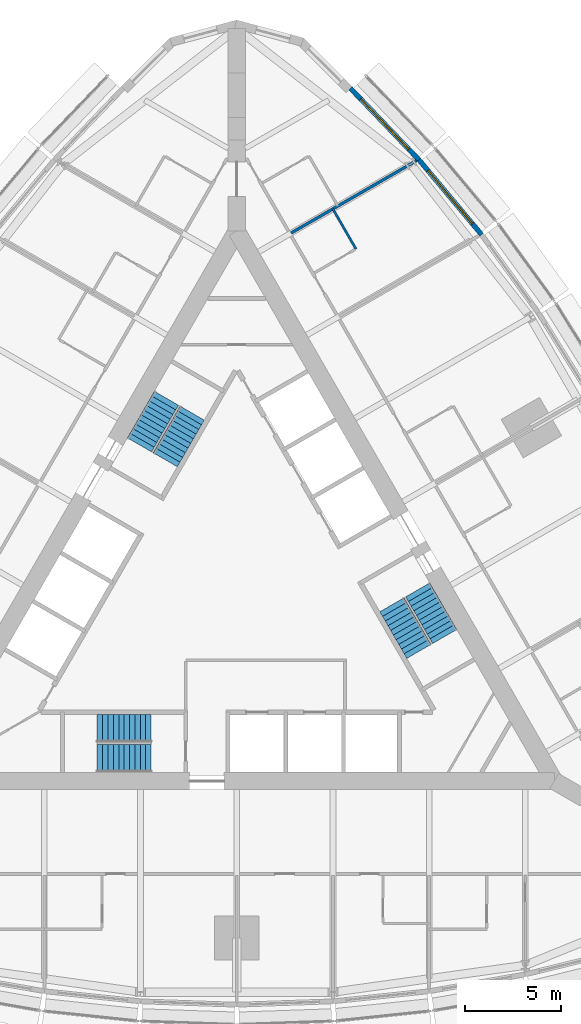
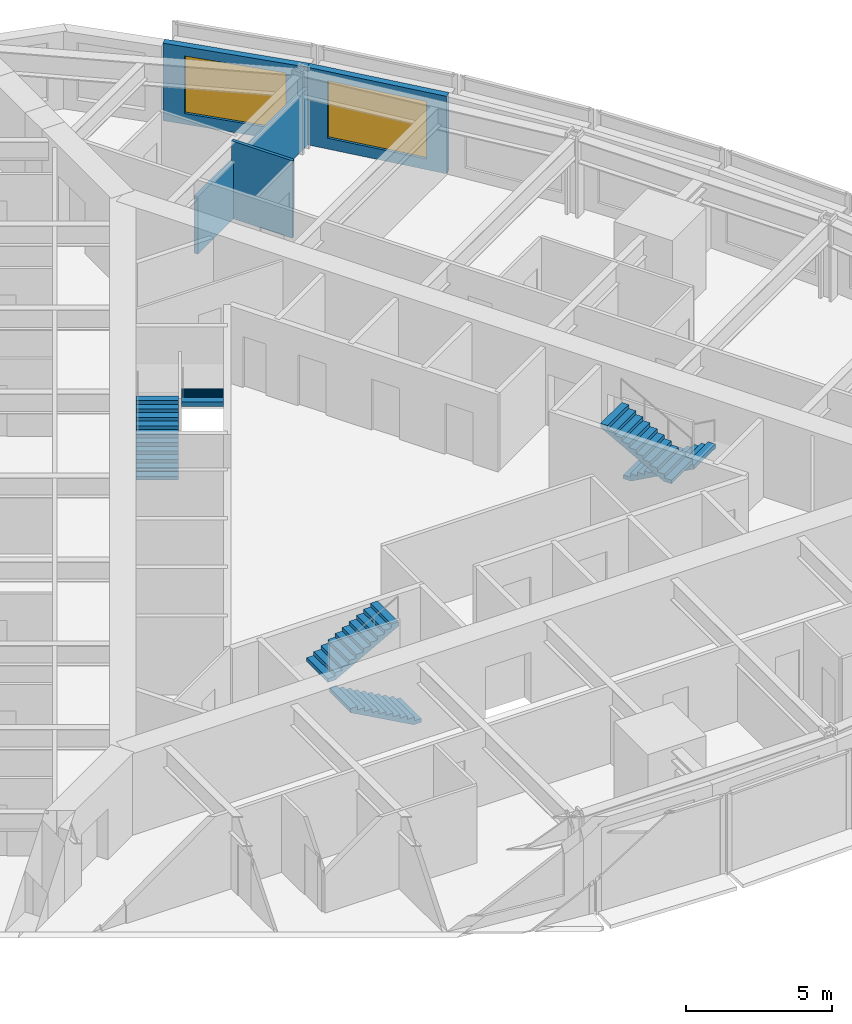
# One storey, part 13 of 14: 6 stair flights, 4 walls, 2 windows, 2 openings, 3 elements without a shape of their own.
"""IFC4 building model written with IfcOpenShell, lengths in metres."""

from ifc_helpers import new_model, si_unit, direction, frame, frame_2d, origin, place, context, subcontext, project, spatial, polyline, rectangle, outline, extrude, material, layer, layer_set, type_object, element, fill, aggregate, save


model = new_model("IFC4")

# Units and contexts
model_context = context("Model", 3, precision=1e-05, world=origin(), true_north=direction((0.0, 1.0)))
body_context = subcontext(model_context, "Body", "Model", "MODEL_VIEW")
ifc_project = project(units=[si_unit("LENGTHUNIT", "METRE"), si_unit("AREAUNIT", "SQUARE_METRE"), si_unit("VOLUMEUNIT", "CUBIC_METRE"), si_unit("PLANEANGLEUNIT", "RADIAN"), si_unit("MASSUNIT", "GRAM", prefix="KILO")], contexts=[model_context])

# Site, building, storey
site_placement = place(None, origin())
site = spatial("IfcSite", under=ifc_project, at=site_placement, CompositionType="ELEMENT")
building_placement = place(site_placement, origin())
building = spatial("IfcBuilding", under=site, at=building_placement, Name="Trikona Tower", CompositionType="ELEMENT")
storey_placement = place(building_placement, frame((0.0, 0.0, 158.89990234375)))
storey = spatial("IfcBuildingStorey", under=building, at=storey_placement, Name="L42", CompositionType="ELEMENT", Elevation=158.89990234375)

# Wall
ifc_material_1 = material(Name="Metal stud and cement board", Category="gypsum")
ifc_layer_1 = layer(ifc_material_1, 0.1201171875)
ifc_layer_set_1 = layer_set([ifc_layer_1], Name="Bathroom wall 120")
wall_type_1 = type_object("IfcWallType", Name="Bathroom wall 120", PredefinedType="PLUMBINGWALL", material=ifc_layer_set_1)
wall_1_placement = place(storey_placement, frame((6.193603515625, 18.125, 0.0), z_axis=(0.0, 0.0, 1.0), x_axis=(-0.500033551112, 0.866006032174, 0.0)))
element("IfcWall", 1, at=wall_1_placement, inside=storey, type_object=wall_type_1, Name="Bathroom wall 4208", PredefinedType="PLUMBINGWALL", context=body_context, shape_type="SweptSolid", body=[
    extrude(rectangle(XDim=2.400146484375, YDim=0.1201171875, at=frame_2d((1.2001953125, 0.0))), origin(), (0.0, 0.0, 1.0), 3.235107421875),
])

# Wall, opening, window
ifc_material_2 = material(Name="Insulated precast concrete spandrel panel", Category="concrete")
ifc_layer_2 = layer(ifc_material_2, 0.25)
ifc_layer_set_2 = layer_set([ifc_layer_2], Name="Inner skin wall 250")
wall_type_2 = type_object("IfcWallType", Name="Inner skin wall 250", PredefinedType="STANDARD", material=ifc_layer_set_2)
wall_2_placement = place(storey_placement, frame((12.722900390625, 18.86767578125, 0.0), z_axis=(0.0, 0.0, 1.0), x_axis=(-0.641810386606, 0.766863369607, 0.0)))
wall_2 = element("IfcWall", 2, at=wall_2_placement, inside=storey, type_object=wall_type_2, Name="External wall L42-18", PredefinedType="STANDARD", context=body_context, shape_type="SweptSolid", body=[
    extrude(rectangle(XDim=5.075927734375, YDim=0.25, at=frame_2d((2.5380859375, 0.0))), origin(), (0.0, 0.0, 1.0), 3.235107421875),
])
opening_1_placement = place(wall_2_placement, frame((0.738037109375, 0.0, 0.449951171875)))
opening_1 = element("IfcOpeningElement", 3, at=opening_1_placement, cuts=wall_2, Name="Opening W3624", PredefinedType="OPENING", context=body_context, shape_type="SweptSolid", body=[
    extrude(rectangle(XDim=3.60009765625, YDim=2.39990234375, at=frame_2d((1.800048828125, 1.199951171875))), frame((0.0, 0.135009765625, 0.0), z_axis=(0.0, -1.0, 0.0), x_axis=(1.0, 0.0, 0.0)), (0.0, 0.0, 1.0), 0.27001953125),
])
ifc_material_3 = material(Name="Aluminium-framed double glazing", Category="aluminium")
window_type = type_object("IfcWindowType", Name="Window 3600x2400", PartitioningType="SINGLE_PANEL", PredefinedType="WINDOW", material=ifc_material_3)
window_1_placement = place(opening_1_placement, origin())
window_1 = element("IfcWindow", 4, at=window_1_placement, inside=storey, type_object=window_type, Name="Window 4208", OverallHeight=2.39990234375, OverallWidth=3.60009765625, PartitioningType="SINGLE_PANEL", PredefinedType="WINDOW", context=body_context, shape_type="SweptSolid", body=[
    extrude(rectangle(XDim=3.60009765625, YDim=2.39990234375, at=frame_2d((1.800048828125, 1.199951171875))), frame((0.0, 0.030029296875, 0.0), z_axis=(0.0, -1.0, 0.0), x_axis=(1.0, 0.0, 0.0)), (0.0, 0.0, 1.0), 0.06005859375),
])
fill(opening_1, window_1)

wall_3_placement = place(storey_placement, frame((9.470703125, 22.75390625, 0.0), z_axis=(0.0, 0.0, 1.0), x_axis=(-0.691719937936, 0.722165858693, 0.0)))
wall_3 = element("IfcWall", 5, at=wall_3_placement, inside=storey, type_object=wall_type_2, Name="External wall L42-19", PredefinedType="STANDARD", context=body_context, shape_type="SweptSolid", body=[
    extrude(rectangle(XDim=5.148193359375, YDim=0.25, at=frame_2d((2.57421875, 0.0))), origin(), (0.0, 0.0, 1.0), 3.235107421875),
])
opening_2_placement = place(wall_3_placement, frame((0.77392578125, 0.0, 0.449951171875)))
opening_2 = element("IfcOpeningElement", 6, at=opening_2_placement, cuts=wall_3, Name="Opening W3624", PredefinedType="OPENING", context=body_context, shape_type="SweptSolid", body=[
    extrude(rectangle(XDim=3.60009765625, YDim=2.39990234375, at=frame_2d((1.800048828125, 1.199951171875))), frame((0.0, 0.135009765625, 0.0), z_axis=(0.0, -1.0, 0.0), x_axis=(1.0, 0.0, 0.0)), (0.0, 0.0, 1.0), 0.27001953125),
])
window_2_placement = place(opening_2_placement, origin())
window_2 = element("IfcWindow", 7, at=window_2_placement, inside=storey, type_object=window_type, Name="Window 4209", OverallHeight=2.39990234375, OverallWidth=3.60009765625, PartitioningType="SINGLE_PANEL", PredefinedType="WINDOW", context=body_context, shape_type="SweptSolid", body=[
    extrude(rectangle(XDim=3.60009765625, YDim=2.39990234375, at=frame_2d((1.800048828125, 1.199951171875))), frame((0.0, 0.030029296875, 0.0), z_axis=(0.0, -1.0, 0.0), x_axis=(1.0, 0.0, 0.0)), (0.0, 0.0, 1.0), 0.06005859375),
])
fill(opening_2, window_2)

# Wall
ifc_material_4 = material(Name="Metal stud and gypsum board, 1-hour acoustic", Category="gypsum")
ifc_layer_3 = layer(ifc_material_4, 0.14990234375)
ifc_layer_set_3 = layer_set([ifc_layer_3], Name="Party wall 150")
wall_type_3 = type_object("IfcWallType", Name="Party wall 150", PredefinedType="PARTITIONING", material=ifc_layer_set_3)
wall_4_placement = place(storey_placement, frame((2.82861328125, 18.95361328125, 0.0), z_axis=(0.0, 0.0, 1.0), x_axis=(0.866015739374, 0.500016738876, 0.0)))
element("IfcWall", 8, at=wall_4_placement, inside=storey, type_object=wall_type_3, Name="Partition L42 F2 u15", PredefinedType="PARTITIONING", context=body_context, shape_type="SweptSolid", body=[
    extrude(rectangle(XDim=7.516357421875, YDim=0.14990234375, at=frame_2d((3.75830078125, 0.0))), origin(), (0.0, 0.0, 1.0), 2.389404296875),
])

# Stair, stair flights
ifc_material_5 = material(Name="Concrete f'c 5000 psi", Category="concrete")
stair_type = type_object("IfcStairType", Name="Core stair", PredefinedType="HALF_TURN_STAIR", material=ifc_material_5)
stair_1_placement = place(storey_placement, origin())
stair_1 = element("IfcStair", 9, at=stair_1_placement, inside=storey, type_object=stair_type, Name="Stair A L42", PredefinedType="HALF_TURN_STAIR")
ifc_material_6 = material(Name="Concrete f'c 5000 psi", Category="concrete")
stair_flight_type = type_object("IfcStairFlightType", Name="Core stair flight 1450", PredefinedType="STRAIGHT", material=ifc_material_6)
stair_flight_1_placement = place(storey_placement, frame((-4.449951171875, -8.351318359375, 0.0), z_axis=(0.0, 0.0, 1.0), x_axis=(-1.0, 0.0, 0.0)))
stair_flight_1 = element("IfcStairFlight", 10, at=stair_flight_1_placement, type_object=stair_flight_type, Name="ST-A flight 1", NumberOfRisers=11, NumberOfTreads=10, PredefinedType="STRAIGHT", RiserHeight=0.154545, TreadLength=0.28, context=body_context, shape_type="SweptSolid", body=[
    extrude(outline(polyline([(0.0, 0.0), (0.0, 0.154541015625), (0.280029296875, 0.154541015625), (0.280029296875, 0.30908203125), (0.56005859375, 0.30908203125), (0.56005859375, 0.463623046875), (0.840087890625, 0.463623046875), (0.840087890625, 0.6181640625), (1.1201171875, 0.6181640625), (1.1201171875, 0.772705078125), (1.39990234375, 0.772705078125), (1.39990234375, 0.92724609375), (1.679931640625, 0.92724609375), (1.679931640625, 1.081787109375), (1.9599609375, 1.081787109375), (1.9599609375, 1.236328125), (2.239990234375, 1.236328125), (2.239990234375, 1.390869140625), (2.52001953125, 1.390869140625), (2.52001953125, 1.54541015625), (2.800048828125, 1.54541015625), (2.800048828125, 1.699951171875), (2.800048828125, 1.374267578125), (0.310302734375, 0.0), (0.0, 0.0)])), frame((0.0, 0.72509765625, 0.0), z_axis=(0.0, -1.0, 0.0), x_axis=(1.0, 0.0, 0.0)), (0.0, 0.0, 1.0), 1.449951171875),
])
stair_flight_2_placement = place(storey_placement, frame((-7.25, -6.80126953125, 1.7001953125), z_axis=(0.0, 0.0, 1.0), x_axis=(1.0, 0.0, 0.0)))
stair_flight_2 = element("IfcStairFlight", 11, at=stair_flight_2_placement, type_object=stair_flight_type, Name="ST-A flight 2", NumberOfRisers=11, NumberOfTreads=10, PredefinedType="STRAIGHT", RiserHeight=0.154545, TreadLength=0.28, context=body_context, shape_type="SweptSolid", body=[
    extrude(outline(polyline([(0.0, 0.0), (0.0, 0.154541015625), (0.280029296875, 0.154541015625), (0.280029296875, 0.30908203125), (0.56005859375, 0.30908203125), (0.56005859375, 0.463623046875), (0.840087890625, 0.463623046875), (0.840087890625, 0.6181640625), (1.1201171875, 0.6181640625), (1.1201171875, 0.772705078125), (1.39990234375, 0.772705078125), (1.39990234375, 0.92724609375), (1.679931640625, 0.92724609375), (1.679931640625, 1.081787109375), (1.9599609375, 1.081787109375), (1.9599609375, 1.236328125), (2.239990234375, 1.236328125), (2.239990234375, 1.390869140625), (2.52001953125, 1.390869140625), (2.52001953125, 1.54541015625), (2.800048828125, 1.54541015625), (2.800048828125, 1.699951171875), (2.800048828125, 1.374267578125), (0.310302734375, 0.0), (0.0, 0.0)])), frame((0.0, 0.72509765625, 0.0), z_axis=(0.0, -1.0, 0.0), x_axis=(1.0, 0.0, 0.0)), (0.0, 0.0, 1.0), 1.449951171875),
])
aggregate(stair_1, [stair_flight_1, stair_flight_2])

stair_2_placement = place(storey_placement, origin())
stair_2 = element("IfcStair", 12, at=stair_2_placement, inside=storey, type_object=stair_type, Name="Stair B L42", PredefinedType="HALF_TURN_STAIR")
stair_flight_3_placement = place(storey_placement, frame((9.407470703125, 0.408447265625, 0.0), z_axis=(0.0, 0.0, 1.0), x_axis=(0.5, -0.866025403784, 0.0)))
stair_flight_3 = element("IfcStairFlight", 13, at=stair_flight_3_placement, type_object=stair_flight_type, Name="ST-B flight 1", NumberOfRisers=11, NumberOfTreads=10, PredefinedType="STRAIGHT", RiserHeight=0.154545, TreadLength=0.28, context=body_context, shape_type="SweptSolid", body=[
    extrude(outline(polyline([(0.0, 0.0), (0.0, 0.154541015625), (0.280029296875, 0.154541015625), (0.280029296875, 0.30908203125), (0.56005859375, 0.30908203125), (0.56005859375, 0.463623046875), (0.840087890625, 0.463623046875), (0.840087890625, 0.6181640625), (1.1201171875, 0.6181640625), (1.1201171875, 0.772705078125), (1.39990234375, 0.772705078125), (1.39990234375, 0.92724609375), (1.679931640625, 0.92724609375), (1.679931640625, 1.081787109375), (1.9599609375, 1.081787109375), (1.9599609375, 1.236328125), (2.239990234375, 1.236328125), (2.239990234375, 1.390869140625), (2.52001953125, 1.390869140625), (2.52001953125, 1.54541015625), (2.800048828125, 1.54541015625), (2.800048828125, 1.699951171875), (2.800048828125, 1.374267578125), (0.310302734375, 0.0), (0.0, 0.0)])), frame((0.0, 0.72509765625, 0.0), z_axis=(0.0, -1.0, 0.0), x_axis=(1.0, 0.0, 0.0)), (0.0, 0.0, 1.0), 1.449951171875),
])
stair_flight_4_placement = place(storey_placement, frame((9.465087890625, -2.79150390625, 1.7001953125), z_axis=(0.0, 0.0, 1.0), x_axis=(-0.5, 0.866025403784, 0.0)))
stair_flight_4 = element("IfcStairFlight", 14, at=stair_flight_4_placement, type_object=stair_flight_type, Name="ST-B flight 2", NumberOfRisers=11, NumberOfTreads=10, PredefinedType="STRAIGHT", RiserHeight=0.154545, TreadLength=0.28, context=body_context, shape_type="SweptSolid", body=[
    extrude(outline(polyline([(0.0, 0.0), (0.0, 0.154541015625), (0.280029296875, 0.154541015625), (0.280029296875, 0.30908203125), (0.56005859375, 0.30908203125), (0.56005859375, 0.463623046875), (0.840087890625, 0.463623046875), (0.840087890625, 0.6181640625), (1.1201171875, 0.6181640625), (1.1201171875, 0.772705078125), (1.39990234375, 0.772705078125), (1.39990234375, 0.92724609375), (1.679931640625, 0.92724609375), (1.679931640625, 1.081787109375), (1.9599609375, 1.081787109375), (1.9599609375, 1.236328125), (2.239990234375, 1.236328125), (2.239990234375, 1.390869140625), (2.52001953125, 1.390869140625), (2.52001953125, 1.54541015625), (2.800048828125, 1.54541015625), (2.800048828125, 1.699951171875), (2.800048828125, 1.374267578125), (0.310302734375, 0.0), (0.0, 0.0)])), frame((0.0, 0.72509765625, 0.0), z_axis=(0.0, -1.0, 0.0), x_axis=(1.0, 0.0, 0.0)), (0.0, 0.0, 1.0), 1.449951171875),
])
aggregate(stair_2, [stair_flight_3, stair_flight_4])

stair_3_placement = place(storey_placement, origin())
stair_3 = element("IfcStair", 15, at=stair_3_placement, inside=storey, type_object=stair_type, Name="Stair C L42", PredefinedType="HALF_TURN_STAIR")
stair_flight_5_placement = place(storey_placement, frame((-5.057373046875, 7.94287109375, 0.0), z_axis=(0.0, 0.0, 1.0), x_axis=(0.5, 0.866025403784, 0.0)))
stair_flight_5 = element("IfcStairFlight", 16, at=stair_flight_5_placement, type_object=stair_flight_type, Name="ST-C flight 1", NumberOfRisers=11, NumberOfTreads=10, PredefinedType="STRAIGHT", RiserHeight=0.154545, TreadLength=0.28, context=body_context, shape_type="SweptSolid", body=[
    extrude(outline(polyline([(0.0, 0.0), (0.0, 0.154541015625), (0.280029296875, 0.154541015625), (0.280029296875, 0.30908203125), (0.56005859375, 0.30908203125), (0.56005859375, 0.463623046875), (0.840087890625, 0.463623046875), (0.840087890625, 0.6181640625), (1.1201171875, 0.6181640625), (1.1201171875, 0.772705078125), (1.39990234375, 0.772705078125), (1.39990234375, 0.92724609375), (1.679931640625, 0.92724609375), (1.679931640625, 1.081787109375), (1.9599609375, 1.081787109375), (1.9599609375, 1.236328125), (2.239990234375, 1.236328125), (2.239990234375, 1.390869140625), (2.52001953125, 1.390869140625), (2.52001953125, 1.54541015625), (2.800048828125, 1.54541015625), (2.800048828125, 1.699951171875), (2.800048828125, 1.374267578125), (0.310302734375, 0.0), (0.0, 0.0)])), frame((0.0, 0.72509765625, 0.0), z_axis=(0.0, -1.0, 0.0), x_axis=(1.0, 0.0, 0.0)), (0.0, 0.0, 1.0), 1.449951171875),
])
stair_flight_6_placement = place(storey_placement, frame((-2.315185546875, 9.5927734375, 1.7001953125), z_axis=(0.0, 0.0, 1.0), x_axis=(-0.5, -0.866025403784, 0.0)))
stair_flight_6 = element("IfcStairFlight", 17, at=stair_flight_6_placement, type_object=stair_flight_type, Name="ST-C flight 2", NumberOfRisers=11, NumberOfTreads=10, PredefinedType="STRAIGHT", RiserHeight=0.154545, TreadLength=0.28, context=body_context, shape_type="SweptSolid", body=[
    extrude(outline(polyline([(0.0, 0.0), (0.0, 0.154541015625), (0.280029296875, 0.154541015625), (0.280029296875, 0.30908203125), (0.56005859375, 0.30908203125), (0.56005859375, 0.463623046875), (0.840087890625, 0.463623046875), (0.840087890625, 0.6181640625), (1.1201171875, 0.6181640625), (1.1201171875, 0.772705078125), (1.39990234375, 0.772705078125), (1.39990234375, 0.92724609375), (1.679931640625, 0.92724609375), (1.679931640625, 1.081787109375), (1.9599609375, 1.081787109375), (1.9599609375, 1.236328125), (2.239990234375, 1.236328125), (2.239990234375, 1.390869140625), (2.52001953125, 1.390869140625), (2.52001953125, 1.54541015625), (2.800048828125, 1.54541015625), (2.800048828125, 1.699951171875), (2.800048828125, 1.374267578125), (0.310302734375, 0.0), (0.0, 0.0)])), frame((0.0, 0.72509765625, 0.0), z_axis=(0.0, -1.0, 0.0), x_axis=(1.0, 0.0, 0.0)), (0.0, 0.0, 1.0), 1.449951171875),
])
aggregate(stair_3, [stair_flight_5, stair_flight_6])

save(model, "model.ifc")
